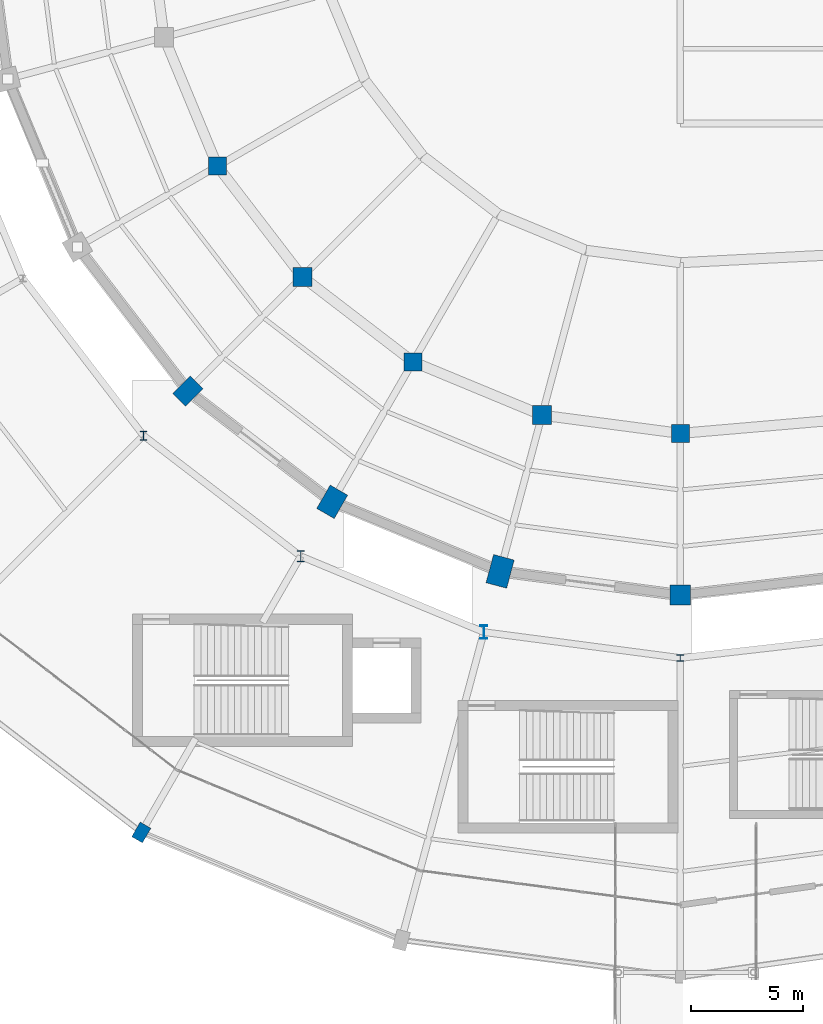
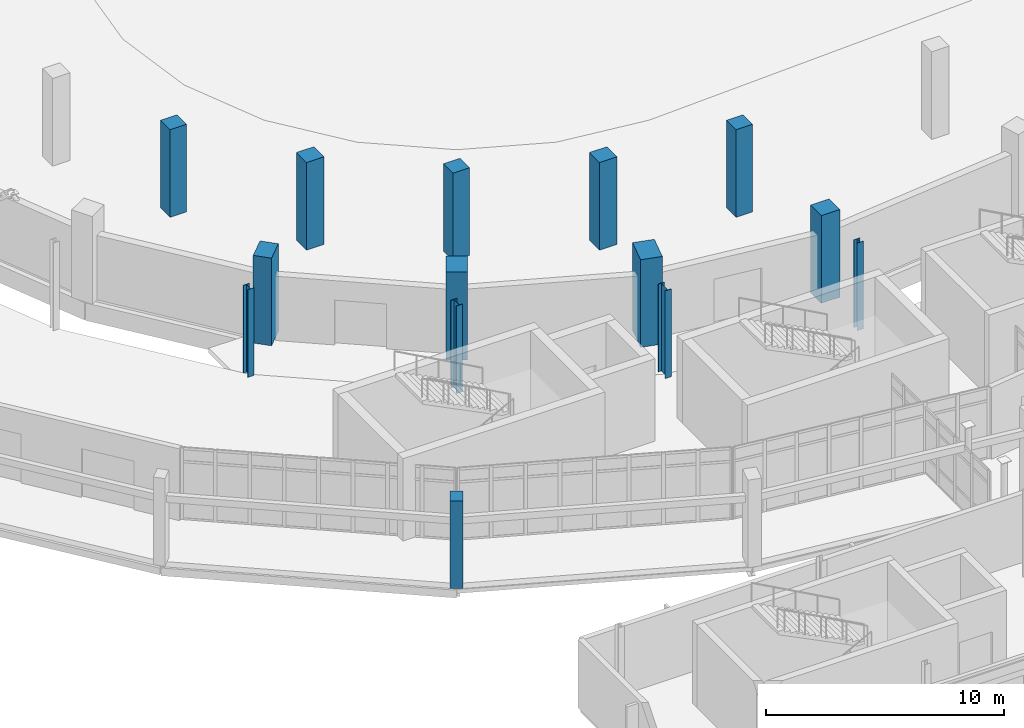
# One storey, part 7 of 122: 14 columns.
"""IFC4 building model written with IfcOpenShell, lengths in metres."""

from ifc_helpers import new_model, si_unit, direction, frame, origin, origin_2d, place, context, subcontext, project, spatial, rectangle, i_section, extrude, material, material_profile, profile_set, type_object, element, save


model = new_model("IFC4")

# Units and contexts
model_context = context("Model", 3, precision=1e-05, world=origin(), true_north=direction((0.0, 1.0)))
body_context = subcontext(model_context, "Body", "Model", "MODEL_VIEW")
ifc_project = project(units=[si_unit("LENGTHUNIT", "METRE"), si_unit("AREAUNIT", "SQUARE_METRE"), si_unit("VOLUMEUNIT", "CUBIC_METRE"), si_unit("PLANEANGLEUNIT", "RADIAN"), si_unit("MASSUNIT", "GRAM", prefix="KILO")], contexts=[model_context])

# Site, building, storey
site_placement = place(None, origin())
site = spatial("IfcSite", under=ifc_project, at=site_placement, CompositionType="ELEMENT")
building_placement = place(site_placement, origin())
building = spatial("IfcBuilding", under=site, at=building_placement, Name="Sohan Crest Arena", CompositionType="ELEMENT")
storey_placement = place(building_placement, origin())
storey = spatial("IfcBuildingStorey", under=building, at=storey_placement, Name="L00", CompositionType="ELEMENT", Elevation=0.0)

# Columns
ifc_material_1 = material(Name="Concrete C40/50", Category="concrete")
ifc_material_profile_1 = material_profile(ifc_material_1, rectangle(XDim=0.800048828125, YDim=0.800048828125, at=origin_2d()), Name="RC 800x800")
ifc_profile_set_1 = profile_set([ifc_material_profile_1], Name="Concrete C40/50")
column_type_1 = type_object("IfcColumnType", Name="STR-COL-C05", PredefinedType="COLUMN", material=ifc_profile_set_1)
for number, where, z_axis, x_axis, name in (
    (1, (77.388916015625, 66.10009765625, 0.0), (0.0, 0.0, 1.0), (1.0, 0.0, 0.0), "Structural column COL-V1M-09-L00"),
    (2, (86.10009765625, 57.388916015625, 0.0), (0.0, 0.0, 1.0), (1.0, 0.0, 0.0), "Structural column COL-V1M-11-L00"),
    (3, (98.0, 54.199951171875, 0.0), (0.0, 0.0, 1.0), (1.0, 0.0, 0.0), "Structural column COL-V1M-13-L00"),
):
    element("IfcColumn", number, at=place(storey_placement, frame(where, z_axis=z_axis, x_axis=x_axis)), inside=storey, type_object=column_type_1, Name=name, PredefinedType="COLUMN", context=body_context, shape_type="SweptSolid", body=[
        extrude(rectangle(XDim=0.800048828125, YDim=0.800048828125, at=origin_2d()), origin(), (0.0, 0.0, 1.0), 4.5),
    ])
ifc_material_profile_2 = material_profile(ifc_material_1, rectangle(XDim=0.85009765625, YDim=0.85009765625, at=origin_2d()), Name="RC 850x850")
ifc_profile_set_2 = profile_set([ifc_material_profile_2], Name="Concrete C40/50")
column_type_2 = type_object("IfcColumnType", Name="STR-COL-C06", PredefinedType="COLUMN", material=ifc_profile_set_2)
for number, where, z_axis, x_axis, name in (
    (4, (81.1708984375, 61.1708984375, 0.0), (0.0, 0.0, 1.0), (1.0, 0.0, 0.0), "Structural column COL-V1M-10-L00"),
    (5, (91.840087890625, 55.010986328125, 0.0), (0.0, 0.0, 1.0), (1.0, 0.0, 0.0), "Structural column COL-V1M-12-L00"),
):
    element("IfcColumn", number, at=place(storey_placement, frame(where, z_axis=z_axis, x_axis=x_axis)), inside=storey, type_object=column_type_2, Name=name, PredefinedType="COLUMN", context=body_context, shape_type="SweptSolid", body=[
        extrude(rectangle(XDim=0.85009765625, YDim=0.85009765625, at=origin_2d()), origin(), (0.0, 0.0, 1.0), 4.5),
    ])
ifc_material_profile_3 = material_profile(ifc_material_1, rectangle(XDim=0.89990234375, YDim=0.89990234375, at=origin_2d()), Name="RC 900x900")
ifc_profile_set_3 = profile_set([ifc_material_profile_3], Name="Concrete C40/50")
column_type_3 = type_object("IfcColumnType", Name="STR-COL-C07", PredefinedType="COLUMN", material=ifc_profile_set_3)
column_1_placement = place(storey_placement, frame((98.0, 47.0, 0.0), z_axis=(0.0, 0.0, 1.0), x_axis=(0.0, 1.0, 0.0)))
element("IfcColumn", 6, at=column_1_placement, inside=storey, type_object=column_type_3, Name="Structural column COL-V1R-13-L00", PredefinedType="COLUMN", context=body_context, shape_type="SweptSolid", body=[
    extrude(rectangle(XDim=0.89990234375, YDim=0.89990234375, at=origin_2d()), origin(), (0.0, 0.0, 1.0), 4.5),
])
ifc_material_profile_4 = material_profile(ifc_material_1, rectangle(XDim=1.10009765625, YDim=0.800048828125, at=origin_2d()), Name="RC 1100x800")
ifc_profile_set_4 = profile_set([ifc_material_profile_4], Name="Concrete C40/50")
column_type_4 = type_object("IfcColumnType", Name="STR-COL-C10", PredefinedType="COLUMN", material=ifc_profile_set_4)
column_2_placement = place(storey_placement, frame((76.080078125, 56.080078125, 0.0), z_axis=(0.0, 0.0, 1.0), x_axis=(0.707106781187, 0.707106781187, 0.0)))
element("IfcColumn", 7, at=column_2_placement, inside=storey, type_object=column_type_4, Name="Structural column COL-V1R-10-L00", PredefinedType="COLUMN", context=body_context, shape_type="SweptSolid", body=[
    extrude(rectangle(XDim=1.10009765625, YDim=0.800048828125, at=origin_2d()), origin(), (0.0, 0.0, 1.0), 4.5),
])
ifc_material_profile_5 = material_profile(ifc_material_1, rectangle(XDim=1.199951171875, YDim=0.89990234375, at=origin_2d()), Name="RC 1200x900")
ifc_profile_set_5 = profile_set([ifc_material_profile_5], Name="Concrete C40/50")
column_type_5 = type_object("IfcColumnType", Name="STR-COL-C11", PredefinedType="COLUMN", material=ifc_profile_set_5)
column_3_placement = place(storey_placement, frame((82.5, 51.153076171875, 0.0), z_axis=(0.0, 0.0, 1.0), x_axis=(0.5, 0.866025403784, 0.0)))
element("IfcColumn", 8, at=column_3_placement, inside=storey, type_object=column_type_5, Name="Structural column COL-V1R-11-L00", PredefinedType="COLUMN", context=body_context, shape_type="SweptSolid", body=[
    extrude(rectangle(XDim=1.199951171875, YDim=0.89990234375, at=origin_2d()), origin(), (0.0, 0.0, 1.0), 4.5),
])
ifc_material_profile_6 = material_profile(ifc_material_1, rectangle(XDim=1.300048828125, YDim=0.949951171875, at=origin_2d()), Name="RC 1300x950")
ifc_profile_set_6 = profile_set([ifc_material_profile_6], Name="Concrete C40/50")
column_type_6 = type_object("IfcColumnType", Name="STR-COL-C12", PredefinedType="COLUMN", material=ifc_profile_set_6)
column_4_placement = place(storey_placement, frame((89.97705078125, 48.055908203125, 0.0), z_axis=(0.0, 0.0, 1.0), x_axis=(0.258819045103, 0.965925826289, 0.0)))
element("IfcColumn", 9, at=column_4_placement, inside=storey, type_object=column_type_6, Name="Structural column COL-V1R-12-L00", PredefinedType="COLUMN", context=body_context, shape_type="SweptSolid", body=[
    extrude(rectangle(XDim=1.300048828125, YDim=0.949951171875, at=origin_2d()), origin(), (0.0, 0.0, 1.0), 4.5),
])
ifc_material_2 = material(Name="Steel S355", Category="steel")
ifc_material_profile_7 = material_profile(ifc_material_2, i_section(OverallWidth=0.300048828125, OverallDepth=0.300048828125, WebThickness=0.010986328125, FlangeThickness=0.01904296875, at=origin_2d()), Name="HEB 300")
ifc_profile_set_7 = profile_set([ifc_material_profile_7], Name="Steel S355")
column_type_7 = type_object("IfcColumnType", Name="STR-COL-C17", PredefinedType="COLUMN", material=ifc_profile_set_7)
column_5_placement = place(storey_placement, frame((98.0, 44.199951171875, 0.0), z_axis=(0.0, 0.0, 1.0), x_axis=(1.0, 0.0, 0.0)))
element("IfcColumn", 10, at=column_5_placement, inside=storey, type_object=column_type_7, Name="Structural column COL-V2I-13-L00", PredefinedType="COLUMN", context=body_context, shape_type="SweptSolid", body=[
    extrude(i_section(OverallWidth=0.300048828125, OverallDepth=0.300048828125, WebThickness=0.010986328125, FlangeThickness=0.01904296875, at=origin_2d()), origin(), (0.0, 0.0, 1.0), 4.5),
])
ifc_material_profile_8 = material_profile(ifc_material_2, i_section(OverallWidth=0.300048828125, OverallDepth=0.39990234375, WebThickness=0.013427734375, FlangeThickness=0.02392578125, at=origin_2d()), Name="HEB 400")
ifc_profile_set_8 = profile_set([ifc_material_profile_8], Name="Steel S355")
column_type_8 = type_object("IfcColumnType", Name="STR-COL-C18", PredefinedType="COLUMN", material=ifc_profile_set_8)
column_6_placement = place(storey_placement, frame((74.10009765625, 54.10009765625, 0.0), z_axis=(0.0, 0.0, 1.0), x_axis=(1.0, 0.0, 0.0)))
element("IfcColumn", 11, at=column_6_placement, inside=storey, type_object=column_type_8, Name="Structural column COL-V2I-10-L00", PredefinedType="COLUMN", context=body_context, shape_type="SweptSolid", body=[
    extrude(i_section(OverallWidth=0.300048828125, OverallDepth=0.39990234375, WebThickness=0.013427734375, FlangeThickness=0.02392578125, at=origin_2d()), origin(), (0.0, 0.0, 1.0), 4.5),
])
ifc_material_profile_9 = material_profile(ifc_material_2, i_section(OverallWidth=0.300048828125, OverallDepth=0.5, WebThickness=0.014404296875, FlangeThickness=0.028076171875, at=origin_2d()), Name="HEB 500")
ifc_profile_set_9 = profile_set([ifc_material_profile_9], Name="Steel S355")
column_type_9 = type_object("IfcColumnType", Name="STR-COL-C19", PredefinedType="COLUMN", material=ifc_profile_set_9)
column_7_placement = place(storey_placement, frame((81.10009765625, 48.72802734375, 0.0), z_axis=(0.0, 0.0, 1.0), x_axis=(1.0, 0.0, 0.0)))
element("IfcColumn", 12, at=column_7_placement, inside=storey, type_object=column_type_9, Name="Structural column COL-V2I-11-L00", PredefinedType="COLUMN", context=body_context, shape_type="SweptSolid", body=[
    extrude(i_section(OverallWidth=0.300048828125, OverallDepth=0.5, WebThickness=0.014404296875, FlangeThickness=0.028076171875, at=origin_2d()), origin(), (0.0, 0.0, 1.0), 4.5),
])
ifc_material_profile_10 = material_profile(ifc_material_2, i_section(OverallWidth=0.300048828125, OverallDepth=0.60009765625, WebThickness=0.015380859375, FlangeThickness=0.030029296875, at=origin_2d()), Name="HEB 600")
ifc_profile_set_10 = profile_set([ifc_material_profile_10], Name="Steel S355")
column_type_10 = type_object("IfcColumnType", Name="STR-COL-C20", PredefinedType="COLUMN", material=ifc_profile_set_10)
column_8_placement = place(storey_placement, frame((89.251953125, 45.35205078125, 0.0), z_axis=(0.0, 0.0, 1.0), x_axis=(1.0, 0.0, 0.0)))
element("IfcColumn", 13, at=column_8_placement, inside=storey, type_object=column_type_10, Name="Structural column COL-V2I-12-L00", PredefinedType="COLUMN", context=body_context, shape_type="SweptSolid", body=[
    extrude(i_section(OverallWidth=0.300048828125, OverallDepth=0.60009765625, WebThickness=0.015380859375, FlangeThickness=0.030029296875, at=origin_2d()), origin(), (0.0, 0.0, 1.0), 4.5),
])
ifc_material_profile_11 = material_profile(ifc_material_1, rectangle(XDim=0.75, YDim=0.550048828125, at=origin_2d()), Name="RC 750x550")
ifc_profile_set_11 = profile_set([ifc_material_profile_11], Name="Concrete C40/50")
column_type_11 = type_object("IfcColumnType", Name="STR-COL-PC03", PredefinedType="PILASTER", material=ifc_profile_set_11)
column_9_placement = place(storey_placement, frame((74.0, 36.430908203125, 0.0), z_axis=(0.0, 0.0, 1.0), x_axis=(0.5, 0.866025403784, 0.0)))
element("IfcColumn", 14, at=column_9_placement, inside=storey, type_object=column_type_11, Name="Structural column COL-V2O-11-L00", PredefinedType="PILASTER", context=body_context, shape_type="SweptSolid", body=[
    extrude(rectangle(XDim=0.75, YDim=0.550048828125, at=origin_2d()), origin(), (0.0, 0.0, 1.0), 4.5),
])

save(model, "model.ifc")
